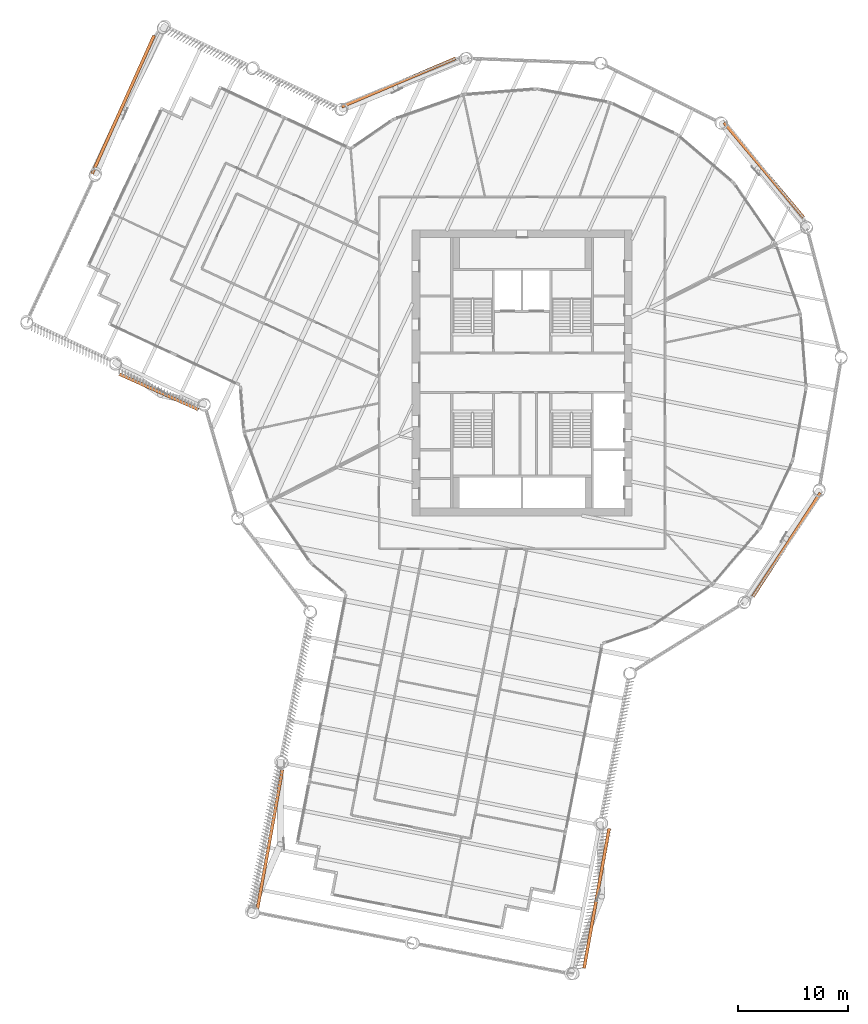
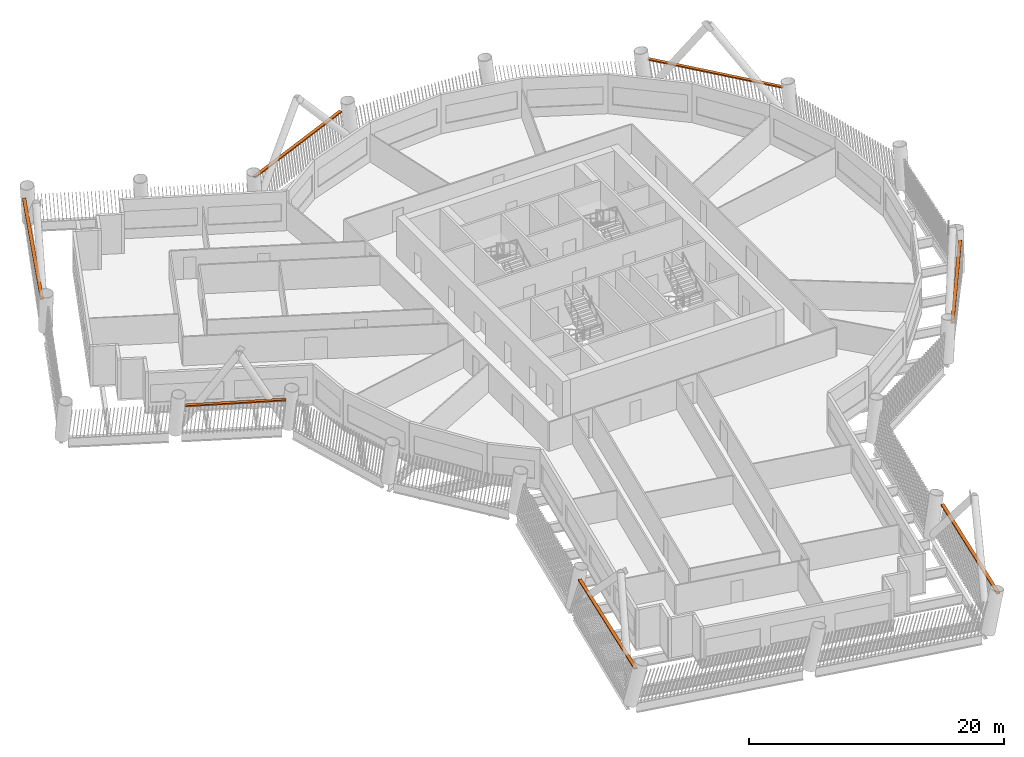
# One storey, part 24 of 24: 7 proxies.
"""IFC4 building model written with IfcOpenShell, lengths in metres."""

from ifc_helpers import new_model, si_unit, direction, frame, origin, origin_2d, place, context, subcontext, project, spatial, rectangle, extrude, material, type_object, element, save


model = new_model("IFC4")

# Units and contexts
model_context = context("Model", 3, precision=1e-05, world=origin(), true_north=direction((0.0, 1.0)))
body_context = subcontext(model_context, "Body", "Model", "MODEL_VIEW")
ifc_project = project(units=[si_unit("LENGTHUNIT", "METRE"), si_unit("AREAUNIT", "SQUARE_METRE"), si_unit("VOLUMEUNIT", "CUBIC_METRE"), si_unit("PLANEANGLEUNIT", "RADIAN"), si_unit("MASSUNIT", "GRAM", prefix="KILO")], contexts=[model_context])

# Site, building, storey
site_placement = place(None, origin())
site = spatial("IfcSite", under=ifc_project, at=site_placement, CompositionType="ELEMENT")
building_placement = place(site_placement, origin())
building = spatial("IfcBuilding", under=site, at=building_placement, Name="Tarsis Ring Headquarters", CompositionType="ELEMENT")
storey_placement = place(building_placement, frame((0.0, 0.0, 178.800048828125)))
storey = spatial("IfcBuildingStorey", under=building, at=storey_placement, Name="L41", CompositionType="ELEMENT", Elevation=178.800048828125)

# Proxies
ifc_material = material(Name="Structural steel S355", Category="steel")
building_element_proxy_type = type_object("IfcBuildingElementProxyType", Name="Screen bracket plate", PredefinedType="USERDEFINED", material=ifc_material)
for number, where, z_axis, x_axis, name in (
    (1, (-22.94580078125, -42.46728515625, 2.949951171875), (0.0, 0.0, 1.0), (-0.176397547528, -0.984319005824, 0.0), "Screen bracket L41-02"),
    (2, (6.770751953125, -47.792724609375, 2.949951171875), (0.0, 0.0, 1.0), (0.176397564708, 0.984319002745, 0.0), "Screen bracket L41-05"),
):
    element("IfcBuildingElementProxy", number, at=place(storey_placement, frame(where, z_axis=z_axis, x_axis=x_axis)), inside=storey, type_object=building_element_proxy_type, Name=name, ObjectType="Bracket", PredefinedType="USERDEFINED", context=body_context, shape_type="SweptSolid", body=[
        extrude(rectangle(XDim=12.90234375, YDim=0.280029296875, at=origin_2d()), origin(), (0.0, 0.0, 1.0), 0.1201171875),
    ])
for number, where, z_axis, x_axis, name in (
    (3, (24.057373046875, -15.6328125, 2.949951171875), (0.0, 0.0, 1.0), (0.54487650763, 0.838516303618, 0.0), "Screen bracket L41-08"),
    (4, (21.974609375, 18.4462890625, 2.949951171875), (0.0, 0.0, 1.0), (-0.642937929563, 0.765918284629, 0.0), "Screen bracket L41-11"),
    (5, (-11.22802734375, 26.402099609375, 2.949951171875), (0.0, 0.0, 1.0), (-0.920240590508, -0.391353108563, 0.0), "Screen bracket L41-14"),
):
    element("IfcBuildingElementProxy", number, at=place(storey_placement, frame(where, z_axis=z_axis, x_axis=x_axis)), inside=storey, type_object=building_element_proxy_type, Name=name, ObjectType="Bracket", PredefinedType="USERDEFINED", context=body_context, shape_type="SweptSolid", body=[
        extrude(rectangle(XDim=11.248779296875, YDim=0.280029296875, at=origin_2d()), origin(), (0.0, 0.0, 1.0), 0.1201171875),
    ])
proxy_1_placement = place(storey_placement, frame((-36.29150390625, 24.389892578125, 2.949951171875), z_axis=(0.0, 0.0, 1.0), x_axis=(-0.40928615403, -0.912406074136, 0.0)))
element("IfcBuildingElementProxy", 6, at=proxy_1_placement, inside=storey, type_object=building_element_proxy_type, Name="Screen bracket L41-17", ObjectType="Bracket", PredefinedType="USERDEFINED", context=body_context, shape_type="SweptSolid", body=[
    extrude(rectangle(XDim=13.800048828125, YDim=0.280029296875, at=origin_2d()), origin(), (0.0, 0.0, 1.0), 0.1201171875),
])
proxy_2_placement = place(storey_placement, frame((-33.04541015625, -1.720703125, 2.949951171875), z_axis=(0.0, 0.0, 1.0), x_axis=(0.912406038419, -0.409286233652, 0.0)))
element("IfcBuildingElementProxy", 7, at=proxy_2_placement, inside=storey, type_object=building_element_proxy_type, Name="Screen bracket L41-20", ObjectType="Bracket", PredefinedType="USERDEFINED", context=body_context, shape_type="SweptSolid", body=[
    extrude(rectangle(XDim=7.90234375, YDim=0.280029296875, at=origin_2d()), origin(), (0.0, 0.0, 1.0), 0.1201171875),
])

save(model, "model.ifc")
